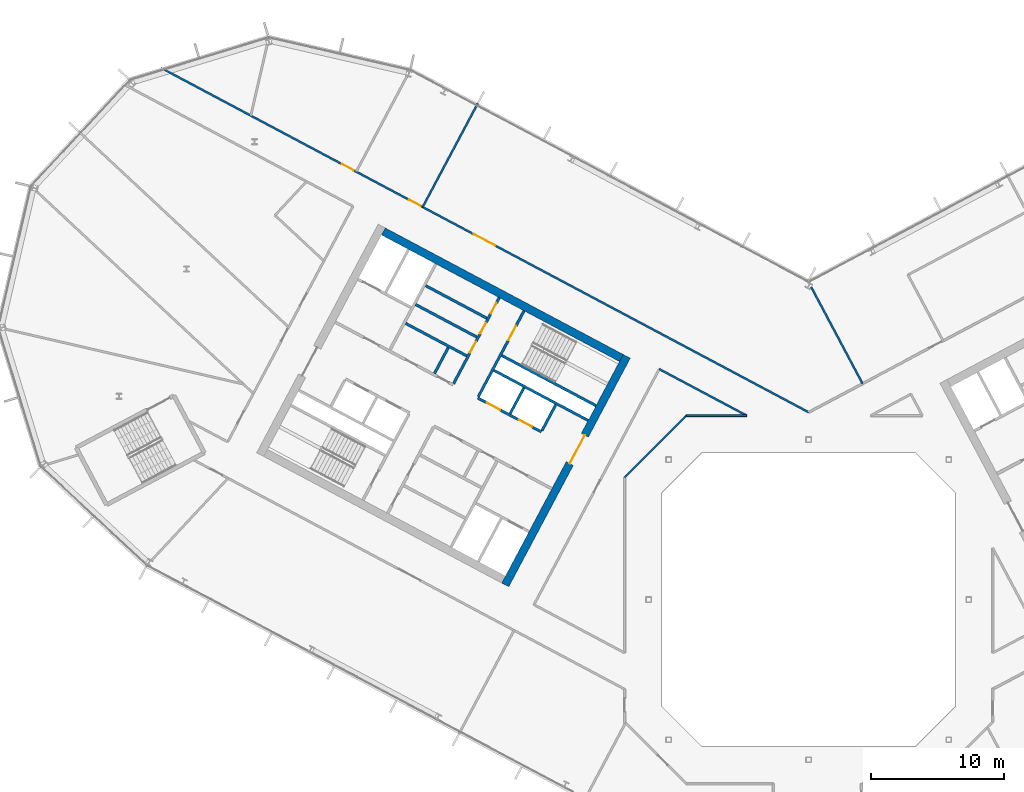
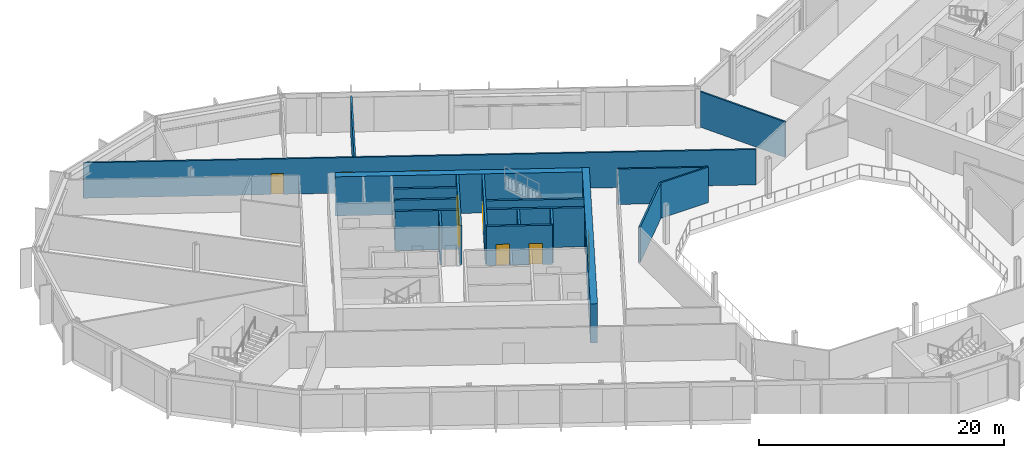
# One storey, part 17 of 31: 19 walls, 10 doors, 10 openings.
"""IFC4 building model written with IfcOpenShell, lengths in metres."""

from ifc_helpers import new_model, si_unit, direction, frame, frame_2d, origin, place, context, subcontext, project, spatial, rectangle, extrude, material, layer, layer_set, type_object, element, fill, save


model = new_model("IFC4")

# Units and contexts
model_context = context("Model", 3, precision=1e-05, world=origin(), true_north=direction((0.0, 1.0)))
body_context = subcontext(model_context, "Body", "Model", "MODEL_VIEW")
ifc_project = project(units=[si_unit("LENGTHUNIT", "METRE"), si_unit("AREAUNIT", "SQUARE_METRE"), si_unit("VOLUMEUNIT", "CUBIC_METRE"), si_unit("PLANEANGLEUNIT", "RADIAN"), si_unit("MASSUNIT", "GRAM", prefix="KILO")], contexts=[model_context])

# Site, building, storey
site_placement = place(None, origin())
site = spatial("IfcSite", under=ifc_project, at=site_placement, CompositionType="ELEMENT")
building_placement = place(site_placement, origin())
building = spatial("IfcBuilding", under=site, at=building_placement, Name="Cormorant Relay Tower", CompositionType="ELEMENT")
storey_placement = place(building_placement, frame((0.0, 0.0, 189.60009765625)))
storey = spatial("IfcBuildingStorey", under=building, at=storey_placement, Name="L40", CompositionType="ELEMENT", Elevation=189.60009765625)

# Walls
ifc_material_1 = material(Name="Concrete 40 MPa", Category="concrete")
ifc_layer_1 = layer(ifc_material_1, 0.199951171875)
ifc_layer_set_1 = layer_set([ifc_layer_1], Name="Core internal wall 200")
wall_type_1 = type_object("IfcWallType", Name="Core internal wall 200", PredefinedType="SOLIDWALL", material=ifc_layer_set_1)
for number, where, z_axis, x_axis, name in (
    (1, (-21.34375, 15.87890625, 0.0), (0.0, 0.0, 1.0), (-0.4694473164, -0.882960484464, 0.0), "L40 core A shaft and room wall"),
    (2, (-27.01220703125, 18.892822265625, 0.0), (0.0, 0.0, 1.0), (-0.4694473164, -0.882960484464, 0.0), "L40 core A shaft and room wall"),
):
    element("IfcWall", number, at=place(storey_placement, frame(where, z_axis=z_axis, x_axis=x_axis)), inside=storey, type_object=wall_type_1, Name=name, PredefinedType="SOLIDWALL", context=body_context, shape_type="SweptSolid", body=[
        extrude(rectangle(XDim=2.199951171875, YDim=0.199951171875, at=frame_2d((1.10009765625, 0.0))), origin(), (0.0, 0.0, 1.0), 3.89990234375),
    ])
for number, where, z_axis, x_axis, name in (
    (3, (-24.120849609375, 21.093017578125, 0.0), (0.0, 0.0, 1.0), (-0.882953967957, 0.469459572775, 0.0), "L40 core A shaft and room wall"),
    (4, (-24.8720703125, 19.680419921875, 0.0), (0.0, 0.0, 1.0), (-0.882953967957, 0.469459572775, 0.0), "L40 core A shaft and room wall"),
):
    element("IfcWall", number, at=place(storey_placement, frame(where, z_axis=z_axis, x_axis=x_axis)), inside=storey, type_object=wall_type_1, Name=name, PredefinedType="SOLIDWALL", context=body_context, shape_type="SweptSolid", body=[
        extrude(rectangle(XDim=5.199951171875, YDim=0.199951171875, at=frame_2d((2.60009765625, 0.0))), origin(), (0.0, 0.0, 1.0), 3.89990234375),
    ])
ifc_material_2 = material(Name="Concrete 50 MPa", Category="concrete")
ifc_layer_2 = layer(ifc_material_2, 0.199951171875)
ifc_layer_set_2 = layer_set([ifc_layer_2], Name="Core shaft wall 200")
wall_type_2 = type_object("IfcWallType", Name="Core shaft wall 200", PredefinedType="SHEAR", material=ifc_layer_set_2)
wall_1_placement = place(storey_placement, frame((-18.959716796875, 14.611328125, 0.0), z_axis=(0.0, 0.0, 1.0), x_axis=(-0.4694473164, -0.882960484464, 0.0)))
element("IfcWall", 5, at=wall_1_placement, inside=storey, type_object=wall_type_2, Name="L40 core A shaft wall", PredefinedType="SHEAR", context=body_context, shape_type="SweptSolid", body=[
    extrude(rectangle(XDim=2.199951171875, YDim=0.199951171875, at=frame_2d((1.10009765625, 0.0))), origin(), (0.0, 0.0, 1.0), 3.89990234375),
])

# Wall, opening, door
wall_2_placement = place(storey_placement, frame((-21.333251953125, 21.6494140625, 0.0), z_axis=(0.0, 0.0, 1.0), x_axis=(-0.469494272526, -0.882935517501, 0.0)))
wall_2 = element("IfcWall", 6, at=wall_2_placement, inside=storey, type_object=wall_type_2, Name="L40 core A shaft wall", PredefinedType="SHEAR", context=body_context, shape_type="SweptSolid", body=[
    extrude(rectangle(XDim=7.2998046875, YDim=0.199951171875, at=frame_2d((3.64990234375, 0.0))), origin(), (0.0, 0.0, 1.0), 3.89990234375),
])
opening_1_placement = place(wall_2_placement, frame((1.300048828125, 0.0, 0.0)))
opening_1 = element("IfcOpeningElement", 7, at=opening_1_placement, cuts=wall_2, Name="Opening CDB-038", PredefinedType="OPENING", context=body_context, shape_type="SweptSolid", body=[
    extrude(rectangle(XDim=1.199951171875, YDim=2.10009765625, at=frame_2d((0.60009765625, 1.050048828125))), frame((0.0, 0.10986328125, 0.0), z_axis=(0.0, -1.0, 0.0), x_axis=(1.0, 0.0, 0.0)), (0.0, 0.0, 1.0), 0.219970703125),
])
ifc_material_3 = material(Name="Steel fire door", Category="steel")
door_type_1 = type_object("IfcDoorType", Name="Core stair door 1200x2100", OperationType="SINGLE_SWING_LEFT", PredefinedType="DOOR", material=ifc_material_3)
door_1_placement = place(opening_1_placement, origin())
door_1 = element("IfcDoor", 8, at=door_1_placement, inside=storey, type_object=door_type_1, Name="Core stair door 1200x2100", OperationType="SINGLE_SWING_RIGHT", OverallHeight=2.10009765625, OverallWidth=1.199951171875, PredefinedType="DOOR", context=body_context, shape_type="SweptSolid", body=[
    extrude(rectangle(XDim=1.199951171875, YDim=2.10009765625, at=frame_2d((0.60009765625, 1.050048828125))), frame((0.0, 0.02490234375, 0.0), z_axis=(0.0, -1.0, 0.0), x_axis=(1.0, 0.0, 0.0)), (0.0, 0.0, 1.0), 0.050048828125),
])
fill(opening_1, door_1)

# Wall, openings, doors
wall_3_placement = place(storey_placement, frame((-23.1875, 22.635498046875, 0.0), z_axis=(0.0, 0.0, 1.0), x_axis=(-0.469454336211, -0.882956752176, 0.0)))
wall_3 = element("IfcWall", 9, at=wall_3_placement, inside=storey, type_object=wall_type_2, Name="L40 core A shaft wall", PredefinedType="SHEAR", context=body_context, shape_type="SweptSolid", body=[
    extrude(rectangle(XDim=7.300048828125, YDim=0.199951171875, at=frame_2d((3.64990234375, 0.0))), origin(), (0.0, 0.0, 1.0), 3.89990234375),
])
opening_2_placement = place(wall_3_placement, frame((0.449951171875, 0.0, 0.0)))
opening_2 = element("IfcOpeningElement", 10, at=opening_2_placement, cuts=wall_3, Name="Opening CDD-238", PredefinedType="OPENING", context=body_context, shape_type="SweptSolid", body=[
    extrude(rectangle(XDim=0.89990234375, YDim=2.10009765625, at=frame_2d((0.449951171875, 1.050048828125))), frame((0.0, 0.10986328125, 0.0), z_axis=(0.0, -1.0, 0.0), x_axis=(1.0, 0.0, 0.0)), (0.0, 0.0, 1.0), 0.219970703125),
])
opening_3_placement = place(wall_3_placement, frame((2.14990234375, 0.0, 0.0)))
opening_3 = element("IfcOpeningElement", 11, at=opening_3_placement, cuts=wall_3, Name="Opening CDD-239", PredefinedType="OPENING", context=body_context, shape_type="SweptSolid", body=[
    extrude(rectangle(XDim=0.89990234375, YDim=2.10009765625, at=frame_2d((0.449951171875, 1.050048828125))), frame((0.0, 0.10986328125, 0.0), z_axis=(0.0, -1.0, 0.0), x_axis=(1.0, 0.0, 0.0)), (0.0, 0.0, 1.0), 0.219970703125),
])
opening_4_placement = place(wall_3_placement, frame((3.75, 0.0, 0.0)))
opening_4 = element("IfcOpeningElement", 12, at=opening_4_placement, cuts=wall_3, Name="Opening CDD-240", PredefinedType="OPENING", context=body_context, shape_type="SweptSolid", body=[
    extrude(rectangle(XDim=0.89990234375, YDim=2.10009765625, at=frame_2d((0.449951171875, 1.050048828125))), frame((0.0, 0.10986328125, 0.0), z_axis=(0.0, -1.0, 0.0), x_axis=(1.0, 0.0, 0.0)), (0.0, 0.0, 1.0), 0.219970703125),
])
ifc_material_4 = material(Name="Steel fire door", Category="steel")
door_type_2 = type_object("IfcDoorType", Name="Core room door 900x2100", OperationType="SINGLE_SWING_LEFT", PredefinedType="DOOR", material=ifc_material_4)
door_2_placement = place(opening_2_placement, origin())
door_2 = element("IfcDoor", 13, at=door_2_placement, inside=storey, type_object=door_type_2, Name="Core room door 900x2100", OperationType="SINGLE_SWING_LEFT", OverallHeight=2.10009765625, OverallWidth=0.89990234375, PredefinedType="DOOR", context=body_context, shape_type="SweptSolid", body=[
    extrude(rectangle(XDim=0.89990234375, YDim=2.10009765625, at=frame_2d((0.449951171875, 1.050048828125))), frame((0.0, 0.02490234375, 0.0), z_axis=(0.0, -1.0, 0.0), x_axis=(1.0, 0.0, 0.0)), (0.0, 0.0, 1.0), 0.050048828125),
])
fill(opening_2, door_2)
door_3_placement = place(opening_3_placement, origin())
door_3 = element("IfcDoor", 14, at=door_3_placement, inside=storey, type_object=door_type_2, Name="Core room door 900x2100", OperationType="SINGLE_SWING_LEFT", OverallHeight=2.10009765625, OverallWidth=0.89990234375, PredefinedType="DOOR", context=body_context, shape_type="SweptSolid", body=[
    extrude(rectangle(XDim=0.89990234375, YDim=2.10009765625, at=frame_2d((0.449951171875, 1.050048828125))), frame((0.0, 0.02490234375, 0.0), z_axis=(0.0, -1.0, 0.0), x_axis=(1.0, 0.0, 0.0)), (0.0, 0.0, 1.0), 0.050048828125),
])
fill(opening_3, door_3)
door_4_placement = place(opening_4_placement, frame((0.89990234375, 0.0, 0.0), z_axis=(0.0, 0.0, 1.0), x_axis=(-1.0, 0.0, 0.0)))
door_4 = element("IfcDoor", 15, at=door_4_placement, inside=storey, type_object=door_type_2, Name="Core room door 900x2100", OperationType="SINGLE_SWING_RIGHT", OverallHeight=2.10009765625, OverallWidth=0.89990234375, PredefinedType="DOOR", context=body_context, shape_type="SweptSolid", body=[
    extrude(rectangle(XDim=0.89990234375, YDim=2.10009765625, at=frame_2d((0.449951171875, 1.050048828125))), frame((0.0, 0.02490234375, 0.0), z_axis=(0.0, -1.0, 0.0), x_axis=(1.0, 0.0, 0.0)), (0.0, 0.0, 1.0), 0.050048828125),
])
fill(opening_4, door_4)

# Walls
wall_4_placement = place(storey_placement, frame((-15.94189453125, 14.53564453125, 0.0), z_axis=(0.0, 0.0, 1.0), x_axis=(-0.882946947542, 0.469472776449, 0.0)))
element("IfcWall", 16, at=wall_4_placement, inside=storey, type_object=wall_type_2, Name="L40 core A shaft wall", PredefinedType="SHEAR", context=body_context, shape_type="SweptSolid", body=[
    extrude(rectangle(XDim=8.000244140625, YDim=0.199951171875, at=frame_2d((4.0, 0.0))), origin(), (0.0, 0.0, 1.0), 3.89990234375),
])
wall_5_placement = place(storey_placement, frame((-16.52880859375, 13.43212890625, 0.0), z_axis=(0.0, 0.0, 1.0), x_axis=(-0.88295287151, 0.469461634952, 0.0)))
element("IfcWall", 17, at=wall_5_placement, inside=storey, type_object=wall_type_2, Name="L40 core A shaft wall", PredefinedType="SHEAR", context=body_context, shape_type="SweptSolid", body=[
    extrude(rectangle(XDim=7.999755859375, YDim=0.199951171875, at=frame_2d((4.0, 0.0))), origin(), (0.0, 0.0, 1.0), 3.89990234375),
])
wall_6_placement = place(storey_placement, frame((-25.623046875, 18.267578125, 0.0), z_axis=(0.0, 0.0, 1.0), x_axis=(-0.882953967957, 0.469459572775, 0.0)))
element("IfcWall", 18, at=wall_6_placement, inside=storey, type_object=wall_type_2, Name="L40 core A shaft wall", PredefinedType="SHEAR", context=body_context, shape_type="SweptSolid", body=[
    extrude(rectangle(XDim=5.199951171875, YDim=0.199951171875, at=frame_2d((2.60009765625, 0.0))), origin(), (0.0, 0.0, 1.0), 3.89990234375),
])

# Wall, openings, doors
wall_7_placement = place(storey_placement, frame((-20.03955078125, 12.58056640625, 0.0), z_axis=(0.0, 0.0, 1.0), x_axis=(-0.882942972946, 0.469480251476, 0.0)))
wall_7 = element("IfcWall", 19, at=wall_7_placement, inside=storey, type_object=wall_type_2, Name="L40 core A shaft wall", PredefinedType="SHEAR", context=body_context, shape_type="SweptSolid", body=[
    extrude(rectangle(XDim=5.39990234375, YDim=0.199951171875, at=frame_2d((2.699951171875, 0.0))), origin(), (0.0, 0.0, 1.0), 3.89990234375),
])
opening_5_placement = place(wall_7_placement, frame((0.800048828125, 0.0, 0.0)))
opening_5 = element("IfcOpeningElement", 20, at=opening_5_placement, cuts=wall_7, Name="Opening LD1-061", PredefinedType="OPENING", context=body_context, shape_type="SweptSolid", body=[
    extrude(rectangle(XDim=1.10009765625, YDim=2.10009765625, at=frame_2d((0.550048828125, 1.050048828125))), frame((0.0, 0.10986328125, 0.0), z_axis=(0.0, -1.0, 0.0), x_axis=(1.0, 0.0, 0.0)), (0.0, 0.0, 1.0), 0.219970703125),
])
opening_6_placement = place(wall_7_placement, frame((3.5, 0.0, 0.0)))
opening_6 = element("IfcOpeningElement", 21, at=opening_6_placement, cuts=wall_7, Name="Opening LD1-062", PredefinedType="OPENING", context=body_context, shape_type="SweptSolid", body=[
    extrude(rectangle(XDim=1.10009765625, YDim=2.10009765625, at=frame_2d((0.550048828125, 1.050048828125))), frame((0.0, 0.10986328125, 0.0), z_axis=(0.0, -1.0, 0.0), x_axis=(1.0, 0.0, 0.0)), (0.0, 0.0, 1.0), 0.219970703125),
])
ifc_material_5 = material(Name="Stainless steel 316", Category="steel")
door_type_3 = type_object("IfcDoorType", Name="Lift landing door 1100x2100", OperationType="DOUBLE_DOOR_SLIDING", PredefinedType="DOOR", material=ifc_material_5)
door_5_placement = place(opening_5_placement, origin())
door_5 = element("IfcDoor", 22, at=door_5_placement, inside=storey, type_object=door_type_3, Name="MR3 landing door", OperationType="DOUBLE_DOOR_SLIDING", OverallHeight=2.10009765625, OverallWidth=1.10009765625, PredefinedType="DOOR", context=body_context, shape_type="SweptSolid", body=[
    extrude(rectangle(XDim=1.10009765625, YDim=2.10009765625, at=frame_2d((0.550048828125, 1.050048828125))), frame((0.0, 0.02490234375, 0.0), z_axis=(0.0, -1.0, 0.0), x_axis=(1.0, 0.0, 0.0)), (0.0, 0.0, 1.0), 0.050048828125),
])
fill(opening_5, door_5)
door_6_placement = place(opening_6_placement, origin())
door_6 = element("IfcDoor", 23, at=door_6_placement, inside=storey, type_object=door_type_3, Name="MR4 landing door", OperationType="DOUBLE_DOOR_SLIDING", OverallHeight=2.10009765625, OverallWidth=1.10009765625, PredefinedType="DOOR", context=body_context, shape_type="SweptSolid", body=[
    extrude(rectangle(XDim=1.10009765625, YDim=2.10009765625, at=frame_2d((0.550048828125, 1.050048828125))), frame((0.0, 0.02490234375, 0.0), z_axis=(0.0, -1.0, 0.0), x_axis=(1.0, 0.0, 0.0)), (0.0, 0.0, 1.0), 0.050048828125),
])
fill(opening_6, door_6)

# Wall, opening, door
ifc_material_6 = material(Name="Concrete 50 MPa", Category="concrete")
ifc_layer_3 = layer(ifc_material_6, 0.60009765625)
ifc_layer_set_3 = layer_set([ifc_layer_3], Name="Core wall 600")
wall_type_3 = type_object("IfcWallType", Name="Core wall 600", PredefinedType="SHEAR", material=ifc_layer_set_3)
wall_8_placement = place(storey_placement, frame((-13.634765625, 18.235595703125, 0.0), z_axis=(0.0, 0.0, 1.0), x_axis=(-0.469478769487, -0.88294376095, 0.0)))
wall_8 = element("IfcWall", 24, at=wall_8_placement, inside=storey, type_object=wall_type_3, Name="L40 core A wall", PredefinedType="SHEAR", context=body_context, shape_type="SweptSolid", body=[
    extrude(rectangle(XDim=19.400146484375, YDim=0.60009765625, at=frame_2d((9.7001953125, 0.0))), origin(), (0.0, 0.0, 1.0), 3.89990234375),
])
opening_7_placement = place(wall_8_placement, frame((6.699951171875, 0.0, 0.0)))
opening_7 = element("IfcOpeningElement", 25, at=opening_7_placement, cuts=wall_8, Name="Opening CDA-040", PredefinedType="OPENING", context=body_context, shape_type="SweptSolid", body=[
    extrude(rectangle(XDim=2.39990234375, YDim=2.39990234375, at=frame_2d((1.199951171875, 1.199951171875))), frame((0.0, 0.31005859375, 0.0), z_axis=(0.0, -1.0, 0.0), x_axis=(1.0, 0.0, 0.0)), (0.0, 0.0, 1.0), 0.6201171875),
])
ifc_material_7 = material(Name="Steel fire door", Category="steel")
door_type_4 = type_object("IfcDoorType", Name="Core lobby door 2400x2400", OperationType="DOUBLE_DOOR_SINGLE_SWING", PredefinedType="DOOR", material=ifc_material_7)
door_7_placement = place(opening_7_placement, frame((2.39990234375, 0.0, 0.0), z_axis=(0.0, 0.0, 1.0), x_axis=(-1.0, 0.0, 0.0)))
door_7 = element("IfcDoor", 26, at=door_7_placement, inside=storey, type_object=door_type_4, Name="Core lobby door 2400x2400", OperationType="DOUBLE_DOOR_SINGLE_SWING", OverallHeight=2.39990234375, OverallWidth=2.39990234375, PredefinedType="DOOR", context=body_context, shape_type="SweptSolid", body=[
    extrude(rectangle(XDim=2.39990234375, YDim=2.39990234375, at=frame_2d((1.199951171875, 1.199951171875))), frame((0.0, 0.02490234375, 0.0), z_axis=(0.0, -1.0, 0.0), x_axis=(1.0, 0.0, 0.0)), (0.0, 0.0, 1.0), 0.050048828125),
])
fill(opening_7, door_7)

# Wall
wall_9_placement = place(storey_placement, frame((-14.04052734375, 18.111572265625, 0.0), z_axis=(0.0, 0.0, 1.0), x_axis=(-0.882947755831, 0.46947125628, 0.0)))
element("IfcWall", 27, at=wall_9_placement, inside=storey, type_object=wall_type_3, Name="L40 core A wall", PredefinedType="SHEAR", context=body_context, shape_type="SweptSolid", body=[
    extrude(rectangle(XDim=20.2001953125, YDim=0.60009765625, at=frame_2d((10.10009765625, 0.0))), origin(), (0.0, 0.0, 1.0), 3.89990234375),
])

# Wall, openings, doors
ifc_material_8 = material(Name="Gypsum board fire partition")
ifc_layer_4 = layer(ifc_material_8, 0.14990234375)
ifc_layer_set_4 = layer_set([ifc_layer_4], Name="Corridor partition 150 EI 60")
wall_type_4 = type_object("IfcWallType", Name="Corridor partition 150 EI 60", PredefinedType="PARTITIONING", material=ifc_layer_set_4)
wall_10_placement = place(storey_placement, frame((-48.541015625, 39.85400390625, 0.0), z_axis=(0.0, 0.0, 1.0), x_axis=(0.882945008423, -0.469476423372, 0.0)))
wall_10 = element("IfcWall", 28, at=wall_10_placement, inside=storey, type_object=wall_type_4, Name="wall/L40/part/011", PredefinedType="PARTITIONING", context=body_context, shape_type="SweptSolid", body=[
    extrude(rectangle(XDim=54.976318359375, YDim=0.14990234375, at=frame_2d((27.48828125, 0.0))), origin(), (0.0, 0.0, 1.0), 3.539794921875),
])
opening_8_placement = place(wall_10_placement, frame((26.550048828125, 0.0, 0.0)))
opening_8 = element("IfcOpeningElement", 29, at=opening_8_placement, cuts=wall_10, Name="Opening DD-024", PredefinedType="OPENING", context=body_context, shape_type="SweptSolid", body=[
    extrude(rectangle(XDim=1.800048828125, YDim=2.10009765625, at=frame_2d((0.89990234375, 1.050048828125))), frame((0.0, 0.0849609375, 0.0), z_axis=(0.0, -1.0, 0.0), x_axis=(1.0, 0.0, 0.0)), (0.0, 0.0, 1.0), 0.169921875),
])
opening_9_placement = place(wall_10_placement, frame((21.049072265625, 0.0, 0.0)))
opening_9 = element("IfcOpeningElement", 30, at=opening_9_placement, cuts=wall_10, Name="Opening DS-119", PredefinedType="OPENING", context=body_context, shape_type="SweptSolid", body=[
    extrude(rectangle(XDim=1.0, YDim=2.10009765625, at=frame_2d((0.5, 1.050048828125))), frame((0.0, 0.0849609375, 0.0), z_axis=(0.0, -1.0, 0.0), x_axis=(1.0, 0.0, 0.0)), (0.0, 0.0, 1.0), 0.169921875),
])
opening_10_placement = place(wall_10_placement, frame((15.35009765625, 0.0, 0.0)))
opening_10 = element("IfcOpeningElement", 31, at=opening_10_placement, cuts=wall_10, Name="Opening DS-120", PredefinedType="OPENING", context=body_context, shape_type="SweptSolid", body=[
    extrude(rectangle(XDim=1.0, YDim=2.10009765625, at=frame_2d((0.5, 1.050048828125))), frame((0.0, 0.0849609375, 0.0), z_axis=(0.0, -1.0, 0.0), x_axis=(1.0, 0.0, 0.0)), (0.0, 0.0, 1.0), 0.169921875),
])
ifc_material_9 = material(Name="Timber door leaf", Category="wood")
door_type_5 = type_object("IfcDoorType", Name="Suite door 1000x2100", OperationType="SINGLE_SWING_LEFT", PredefinedType="DOOR", material=ifc_material_9)
door_8_placement = place(opening_9_placement, origin())
door_8 = element("IfcDoor", 32, at=door_8_placement, inside=storey, type_object=door_type_5, Name="door/L40/016", OperationType="SINGLE_SWING_RIGHT", OverallHeight=2.10009765625, OverallWidth=1.0, PredefinedType="DOOR", context=body_context, shape_type="SweptSolid", body=[
    extrude(rectangle(XDim=1.0, YDim=2.10009765625, at=frame_2d((0.5, 1.050048828125))), frame((0.0, 0.02490234375, 0.0), z_axis=(0.0, -1.0, 0.0), x_axis=(1.0, 0.0, 0.0)), (0.0, 0.0, 1.0), 0.050048828125),
])
fill(opening_9, door_8)
door_9_placement = place(opening_10_placement, origin())
door_9 = element("IfcDoor", 33, at=door_9_placement, inside=storey, type_object=door_type_5, Name="door/L40/017", OperationType="SINGLE_SWING_RIGHT", OverallHeight=2.10009765625, OverallWidth=1.0, PredefinedType="DOOR", context=body_context, shape_type="SweptSolid", body=[
    extrude(rectangle(XDim=1.0, YDim=2.10009765625, at=frame_2d((0.5, 1.050048828125))), frame((0.0, 0.02490234375, 0.0), z_axis=(0.0, -1.0, 0.0), x_axis=(1.0, 0.0, 0.0)), (0.0, 0.0, 1.0), 0.050048828125),
])
fill(opening_10, door_9)
ifc_material_10 = material(Name="Timber door leaf", Category="wood")
door_type_6 = type_object("IfcDoorType", Name="Suite double door 1800x2100", OperationType="DOUBLE_DOOR_SINGLE_SWING", PredefinedType="DOOR", material=ifc_material_10)
door_10_placement = place(opening_8_placement, origin())
door_10 = element("IfcDoor", 34, at=door_10_placement, inside=storey, type_object=door_type_6, Name="door/L40/015", OperationType="DOUBLE_DOOR_SINGLE_SWING", OverallHeight=2.10009765625, OverallWidth=1.800048828125, PredefinedType="DOOR", context=body_context, shape_type="SweptSolid", body=[
    extrude(rectangle(XDim=1.800048828125, YDim=2.10009765625, at=frame_2d((0.89990234375, 1.050048828125))), frame((0.0, 0.02490234375, 0.0), z_axis=(0.0, -1.0, 0.0), x_axis=(1.0, 0.0, 0.0)), (0.0, 0.0, 1.0), 0.050048828125),
])
fill(opening_8, door_10)

# Walls
wall_11_placement = place(storey_placement, frame((-11.197998046875, 17.280029296875, 0.0), z_axis=(0.0, 0.0, 1.0), x_axis=(0.88294849999, -0.469469856717, 0.0)))
element("IfcWall", 35, at=wall_11_placement, inside=storey, type_object=wall_type_4, Name="wall/L40/part/045", PredefinedType="PARTITIONING", context=body_context, shape_type="SweptSolid", body=[
    extrude(rectangle(XDim=7.41259765625, YDim=0.14990234375, at=frame_2d((3.706298828125, 0.0))), origin(), (0.0, 0.0, 1.0), 3.539794921875),
])
wall_12_placement = place(storey_placement, frame((-4.653076171875, 13.800048828125, 0.0), z_axis=(0.0, 0.0, 1.0), x_axis=(-1.0, 0.0, 0.0)))
element("IfcWall", 36, at=wall_12_placement, inside=storey, type_object=wall_type_4, Name="wall/L40/part/046", PredefinedType="PARTITIONING", context=body_context, shape_type="SweptSolid", body=[
    extrude(rectangle(XDim=4.5068359375, YDim=0.14990234375, at=frame_2d((2.25341796875, 0.0))), origin(), (0.0, 0.0, 1.0), 3.539794921875),
])
wall_13_placement = place(storey_placement, frame((-9.159912109375, 13.800048828125, 0.0), z_axis=(0.0, 0.0, 1.0), x_axis=(-0.707106781187, -0.707106781187, 0.0)))
element("IfcWall", 37, at=wall_13_placement, inside=storey, type_object=wall_type_4, Name="wall/L40/part/047", PredefinedType="PARTITIONING", context=body_context, shape_type="SweptSolid", body=[
    extrude(rectangle(XDim=6.562255859375, YDim=0.14990234375, at=frame_2d((3.28125, 0.0))), origin(), (0.0, 0.0, 1.0), 3.539794921875),
])
ifc_material_11 = material(Name="Gypsum board partition")
ifc_layer_5 = layer(ifc_material_11, 0.14990234375)
ifc_layer_set_5 = layer_set([ifc_layer_5], Name="Tenant partition 150")
wall_type_5 = type_object("IfcWallType", Name="Tenant partition 150", PredefinedType="PARTITIONING", material=ifc_layer_set_5)
wall_14_placement = place(storey_placement, frame((-24.800048828125, 37.197021484375, 0.0), z_axis=(0.0, 0.0, 1.0), x_axis=(-0.469510830369, -0.882926712794, 0.0)))
element("IfcWall", 38, at=wall_14_placement, inside=storey, type_object=wall_type_5, Name="wall/L40/part/019", PredefinedType="PARTITIONING", context=body_context, shape_type="SweptSolid", body=[
    extrude(rectangle(XDim=8.80029296875, YDim=0.14990234375, at=frame_2d((4.400146484375, 0.0))), origin(), (0.0, 0.0, 1.0), 3.539794921875),
])
wall_15_placement = place(storey_placement, frame((0.18310546875, 23.43994140625, 0.0), z_axis=(0.0, 0.0, 1.0), x_axis=(0.469529135479, -0.882916978507, 0.0)))
element("IfcWall", 39, at=wall_15_placement, inside=storey, type_object=wall_type_5, Name="wall/L40/part/020", PredefinedType="PARTITIONING", context=body_context, shape_type="SweptSolid", body=[
    extrude(rectangle(XDim=8.210205078125, YDim=0.14990234375, at=frame_2d((4.10498046875, 0.0))), origin(), (0.0, 0.0, 1.0), 3.539794921875),
])

save(model, "model.ifc")
